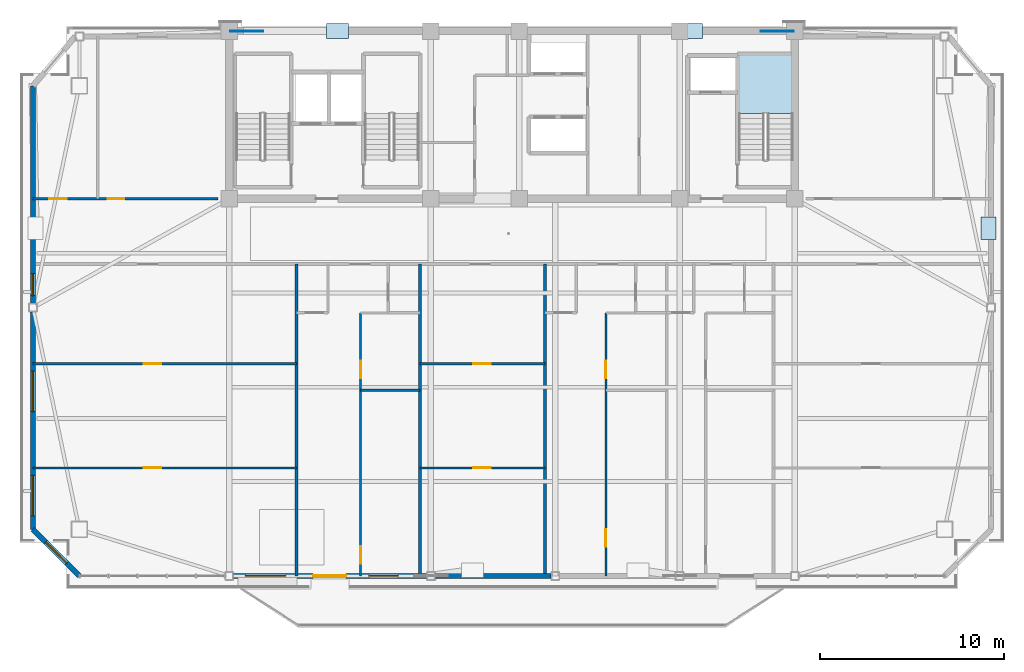
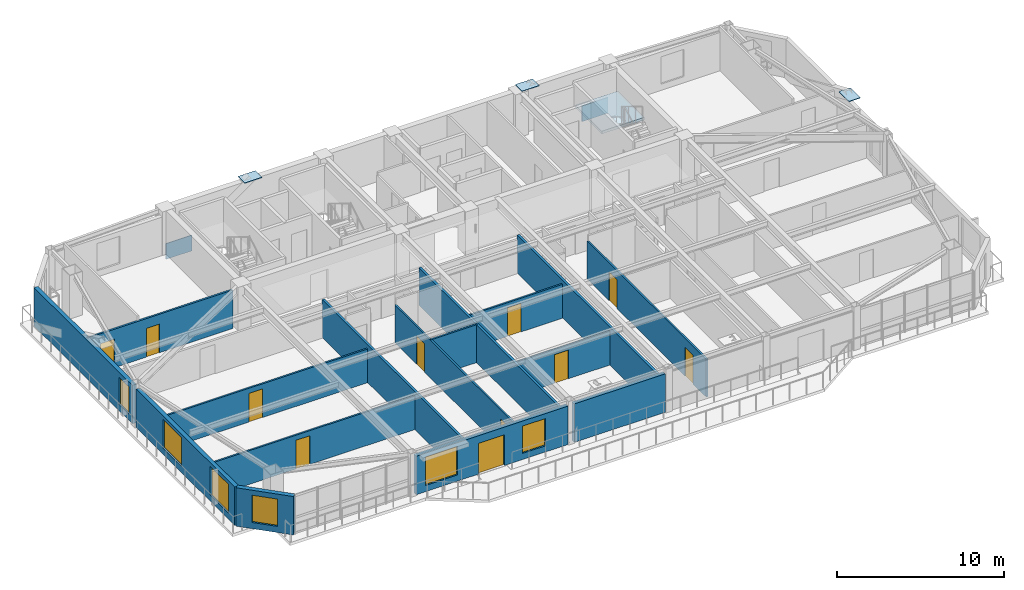
# One storey, part 8 of 17: 16 walls, 11 doors, 6 windows, 5 plates, 1 slab, 17 openings, 1 element without a shape of its own.
"""IFC4 building model written with IfcOpenShell, lengths in metres."""

from ifc_helpers import new_model, si_unit, direction, frame, frame_2d, origin, origin_2d, place, context, subcontext, project, spatial, polyline, rectangle, outline, extrude, source, transform, mapped, material, layer, layer_set, type_object, element, fill, aggregate, save


model = new_model("IFC4")

# Units and contexts
model_context = context("Model", 3, precision=1e-05, world=origin(), true_north=direction((0.0, 1.0)))
body_context = subcontext(model_context, "Body", "Model", "MODEL_VIEW")
ifc_project = project(units=[si_unit("LENGTHUNIT", "METRE"), si_unit("AREAUNIT", "SQUARE_METRE"), si_unit("VOLUMEUNIT", "CUBIC_METRE"), si_unit("PLANEANGLEUNIT", "RADIAN"), si_unit("MASSUNIT", "GRAM", prefix="KILO")], contexts=[model_context])

# Site, building, storey
site_placement = place(None, origin())
site = spatial("IfcSite", under=ifc_project, at=site_placement, CompositionType="ELEMENT")
building_placement = place(site_placement, origin())
building = spatial("IfcBuilding", under=site, at=building_placement, Name="Giltprow Tower", CompositionType="ELEMENT")
storey_placement = place(building_placement, frame((0.0, 0.0, 268.89990234375)))
storey = spatial("IfcBuildingStorey", under=building, at=storey_placement, Name="L69", CompositionType="ELEMENT", Elevation=268.89990234375)

# Stair, slab
ifc_material_1 = material(Name="Concrete C40", Category="concrete")
stair_type = type_object("IfcStairType", Name="STR-ST-3", PredefinedType="HALF_TURN_STAIR", material=ifc_material_1)
stair_placement = place(storey_placement, origin())
stair = element("IfcStair", 1, at=stair_placement, inside=storey, type_object=stair_type, Name="L69 Core Exit Stair ST-3", PredefinedType="HALF_TURN_STAIR")
ifc_layer_1 = layer(ifc_material_1, 0.196044921875, Name="Concrete C40")
ifc_layer_set_1 = layer_set([ifc_layer_1], Name="Concrete C40")
slab_type = type_object("IfcSlabType", Name="SLD-ST-3", PredefinedType="LANDING", material=ifc_layer_set_1)
slab_placement = place(storey_placement, frame((0.0, 0.0, 1.504150390625)))
slab = element("IfcSlab", 2, at=slab_placement, type_object=slab_type, Name="ST-3 landing 1", PredefinedType="LANDING", context=body_context, shape_type="SweptSolid", body=[
    extrude(outline(polyline([(50.4599609375, 42.070068359375), (50.4599609375, 45.25), (47.5, 45.25), (47.5, 42.070068359375), (50.4599609375, 42.070068359375)])), origin(), (0.0, 0.0, 1.0), 0.196044921875),
])
aggregate(stair, [slab])

# Plates
ifc_material_2 = material(Name="Structural steel Q420GJC", Category="steel")
plate_type_1 = type_object("IfcPlateType", Name="PLT-NODE-MBN1", PredefinedType="USERDEFINED", material=ifc_material_2)
shared_shape_1 = source(origin(), body_context, "Body", "SweptSolid", [
    extrude(rectangle(XDim=1.800048828125, YDim=0.050048828125, at=origin_2d()), origin(), (0.0, 0.0, 1.0), 1.14990234375),
])
for number, where, z_axis, x_axis, name in (
    (3, (20.800048828125, 46.550048828125, -0.71484375), (0.0, 0.0, 1.0), (1.0, 0.0, 0.0), "Mega-Brace Node L69-N-LA"),
    (4, (49.60009765625, 46.550048828125, -0.71484375), (0.0, 0.0, 1.0), (1.0, 0.0, 0.0), "Mega-Brace Node L69-N-RA"),
):
    element("IfcPlate", number, at=place(storey_placement, frame(where, z_axis=z_axis, x_axis=x_axis)), inside=storey, type_object=plate_type_1, Name=name, ObjectType="GUSSET", PredefinedType="USERDEFINED", context=body_context, shape_type="MappedRepresentation", body=[
        mapped(shared_shape_1, transform((0.0, 0.0, 0.0), x_axis=(1.0, 0.0, 0.0), y_axis=(0.0, 1.0, 0.0), z_axis=(0.0, 0.0, 1.0), scale=1.0)),
    ])
plate_type_2 = type_object("IfcPlateType", Name="PLT-CAP-SEAL", PredefinedType="USERDEFINED", material=ifc_material_2)
shared_shape_2 = source(origin(), body_context, "Body", "SweptSolid", [
    extrude(rectangle(XDim=1.199951171875, YDim=0.800048828125, at=origin_2d()), origin(), (0.0, 0.0, 1.0), 0.034912109375),
])
for number, where, z_axis, x_axis, name in (
    (5, (25.73291015625, 46.550048828125, 3.24267578125), (0.0, 0.0, 1.0), (1.0, 0.0, 0.0), "Mega-Brace Node L69-N-LB"),
    (6, (44.93310546875, 46.550048828125, 3.24267578125), (0.0, 0.0, 1.0), (1.0, 0.0, 0.0), "Mega-Brace Node L69-N-RB"),
    (7, (61.068115234375, 35.845947265625, 3.3828125), (0.0, 0.0, 1.0), (0.0, 1.0, 0.0), "Mega-Brace Node L69-E-DB"),
):
    element("IfcPlate", number, at=place(storey_placement, frame(where, z_axis=z_axis, x_axis=x_axis)), inside=storey, type_object=plate_type_2, Name=name, ObjectType="SPLICE", PredefinedType="USERDEFINED", context=body_context, shape_type="MappedRepresentation", body=[
        mapped(shared_shape_2, transform((0.0, 0.0, 0.0), x_axis=(1.0, 0.0, 0.0), y_axis=(0.0, 1.0, 0.0), z_axis=(0.0, 0.0, 1.0), scale=1.0)),
    ])

# Wall, opening, window
ifc_material_3 = material(Name="Precast concrete C40", Category="concrete")
ifc_layer_2 = layer(ifc_material_3, 0.300048828125, Name="Precast concrete C40")
ifc_layer_set_2 = layer_set([ifc_layer_2], Name="Precast concrete C40")
wall_type_1 = type_object("IfcWallType", Name="EW-NOTCH-CHAMFER-300", PredefinedType="SOLIDWALL", material=ifc_layer_set_2)
wall_1_placement = place(storey_placement, frame((9.194091796875, 19.4990234375, 0.0), z_axis=(0.0, 0.0, 1.0), x_axis=(0.707106781187, -0.707106781187, 0.0)))
wall_1 = element("IfcWall", 8, at=wall_1_placement, inside=storey, type_object=wall_type_1, Name="L69 Corner Notch Wall SW", PredefinedType="SOLIDWALL", context=body_context, shape_type="SweptSolid", body=[
    extrude(rectangle(XDim=3.56787109375, YDim=0.300048828125, at=frame_2d((1.783935546875, 0.0))), origin(), (0.0, 0.0, 1.0), 2.815185546875),
])
opening_1_placement = place(wall_1_placement, frame((0.98388671875, 0.0, 0.449951171875)))
opening_1 = element("IfcOpeningElement", 9, at=opening_1_placement, cuts=wall_1, Name="Opening WN17", PredefinedType="OPENING", context=body_context, shape_type="SweptSolid", body=[
    extrude(rectangle(XDim=1.60009765625, YDim=2.0, at=frame_2d((0.800048828125, 1.0))), frame((0.0, 0.159912109375, 0.0), z_axis=(0.0, -1.0, 0.0), x_axis=(1.0, 0.0, 0.0)), (0.0, 0.0, 1.0), 0.320068359375),
])
ifc_material_4 = material(Name="Insulated glass", Category="glass")
window_type_1 = type_object("IfcWindowType", Name="WN-COR-1600x2000", PartitioningType="SINGLE_PANEL", PredefinedType="WINDOW", material=ifc_material_4)
shared_shape_3 = source(origin(), body_context, "Body", "SweptSolid", [
    extrude(rectangle(XDim=1.60009765625, YDim=2.0, at=frame_2d((0.800048828125, 1.0))), frame((0.0, 0.030029296875, 0.0), z_axis=(0.0, -1.0, 0.0), x_axis=(1.0, 0.0, 0.0)), (0.0, 0.0, 1.0), 0.06005859375),
])
window_1_placement = place(opening_1_placement, origin())
window_1 = element("IfcWindow", 10, at=window_1_placement, inside=storey, type_object=window_type_1, Name="L69 Corner Notch Window SW", OverallHeight=2.0, OverallWidth=1.60009765625, PartitioningType="SINGLE_PANEL", PredefinedType="WINDOW", context=body_context, shape_type="MappedRepresentation", body=[
    mapped(shared_shape_3, transform((0.0, 0.0, 0.0), x_axis=(1.0, 0.0, 0.0), y_axis=(0.0, 1.0, 0.0), z_axis=(0.0, 0.0, 1.0), scale=1.0)),
])
fill(opening_1, window_1)

# Wall, openings, windows, door
ifc_layer_3 = layer(ifc_material_3, 0.280029296875, Name="Precast concrete C40")
ifc_layer_set_3 = layer_set([ifc_layer_3], Name="Precast concrete C40")
wall_type_2 = type_object("IfcWallType", Name="EW-TOW-BRONZE-280", PredefinedType="SOLIDWALL", material=ifc_layer_set_3)
wall_2_placement = place(storey_placement, frame((20.074951171875, 16.97607421875, 0.0), z_axis=(0.0, 0.0, 1.0), x_axis=(1.0, 0.0, 0.0)))
wall_2 = element("IfcWall", 11, at=wall_2_placement, inside=storey, type_object=wall_type_2, Name="L69 South Expressed Frame Wall 2", PredefinedType="SOLIDWALL", context=body_context, shape_type="SweptSolid", body=[
    extrude(rectangle(XDim=10.5, YDim=0.280029296875, at=frame_2d((5.25, 0.0))), origin(), (0.0, 0.0, 1.0), 2.815185546875),
])
opening_2_placement = place(wall_2_placement, frame((4.324951171875, 0.0, 0.0)))
opening_2 = element("IfcOpeningElement", 12, at=opening_2_placement, cuts=wall_2, Name="Opening ED25", PredefinedType="OPENING", context=body_context, shape_type="SweptSolid", body=[
    extrude(rectangle(XDim=1.800048828125, YDim=2.25, at=frame_2d((0.89990234375, 1.125))), frame((0.0, 0.14990234375, 0.0), z_axis=(0.0, -1.0, 0.0), x_axis=(1.0, 0.0, 0.0)), (0.0, 0.0, 1.0), 0.300048828125),
])
opening_3_placement = place(wall_2_placement, frame((0.64990234375, 0.0, 0.449951171875)))
opening_3 = element("IfcOpeningElement", 13, at=opening_3_placement, cuts=wall_2, Name="Opening WN27", PredefinedType="OPENING", context=body_context, shape_type="SweptSolid", body=[
    extrude(rectangle(XDim=2.199951171875, YDim=2.10009765625, at=frame_2d((1.10009765625, 1.050048828125))), frame((0.0, 0.14990234375, 0.0), z_axis=(0.0, -1.0, 0.0), x_axis=(1.0, 0.0, 0.0)), (0.0, 0.0, 1.0), 0.300048828125),
])
opening_4_placement = place(wall_2_placement, frame((7.35009765625, 0.0, 0.449951171875)))
opening_4 = element("IfcOpeningElement", 14, at=opening_4_placement, cuts=wall_2, Name="Opening WN17", PredefinedType="OPENING", context=body_context, shape_type="SweptSolid", body=[
    extrude(rectangle(XDim=1.60009765625, YDim=2.0, at=frame_2d((0.800048828125, 1.0))), frame((0.0, 0.14990234375, 0.0), z_axis=(0.0, -1.0, 0.0), x_axis=(1.0, 0.0, 0.0)), (0.0, 0.0, 1.0), 0.300048828125),
])
window_2_placement = place(opening_4_placement, origin())
window_2 = element("IfcWindow", 15, at=window_2_placement, inside=storey, type_object=window_type_1, Name="L69 South Window 2B", OverallHeight=2.0, OverallWidth=1.60009765625, PartitioningType="SINGLE_PANEL", PredefinedType="WINDOW", context=body_context, shape_type="MappedRepresentation", body=[
    mapped(shared_shape_3, transform((0.0, 0.0, 0.0), x_axis=(1.0, 0.0, 0.0), y_axis=(0.0, 1.0, 0.0), z_axis=(0.0, 0.0, 1.0), scale=1.0)),
])
fill(opening_4, window_2)
ifc_material_5 = material(Name="Anodized bronze and glass", Category="glass")
door_type_1 = type_object("IfcDoorType", Name="DR-BALC-SLIDE-1800", OperationType="SLIDING_TO_LEFT", PredefinedType="DOOR", material=ifc_material_5)
shared_shape_4 = source(origin(), body_context, "Body", "SweptSolid", [
    extrude(rectangle(XDim=1.800048828125, YDim=2.25, at=frame_2d((0.89990234375, 1.125))), frame((0.0, 0.02490234375, 0.0), z_axis=(0.0, -1.0, 0.0), x_axis=(1.0, 0.0, 0.0)), (0.0, 0.0, 1.0), 0.050048828125),
])
door_1_placement = place(opening_2_placement, origin())
door_1 = element("IfcDoor", 16, at=door_1_placement, inside=storey, type_object=door_type_1, Name="L69 Waterfront Balcony Sliding Door 1", OperationType="SLIDING_TO_LEFT", OverallHeight=2.25, OverallWidth=1.800048828125, PredefinedType="DOOR", context=body_context, shape_type="MappedRepresentation", body=[
    mapped(shared_shape_4, transform((0.0, 0.0, 0.0), x_axis=(1.0, 0.0, 0.0), y_axis=(0.0, 1.0, 0.0), z_axis=(0.0, 0.0, 1.0), scale=1.0)),
])
fill(opening_2, door_1)
window_type_2 = type_object("IfcWindowType", Name="WN-RES-2200x2100", PartitioningType="TRIPLE_PANEL_VERTICAL", PredefinedType="WINDOW", material=ifc_material_4)
shared_shape_5 = source(origin(), body_context, "Body", "SweptSolid", [
    extrude(rectangle(XDim=2.199951171875, YDim=2.10009765625, at=frame_2d((1.10009765625, 1.050048828125))), frame((0.0, 0.030029296875, 0.0), z_axis=(0.0, -1.0, 0.0), x_axis=(1.0, 0.0, 0.0)), (0.0, 0.0, 1.0), 0.06005859375),
])
window_3_placement = place(opening_3_placement, origin())
window_3 = element("IfcWindow", 17, at=window_3_placement, inside=storey, type_object=window_type_2, Name="L69 South Window 2A", OverallHeight=2.10009765625, OverallWidth=2.199951171875, PartitioningType="SINGLE_PANEL", PredefinedType="WINDOW", context=body_context, shape_type="MappedRepresentation", body=[
    mapped(shared_shape_5, transform((0.0, 0.0, 0.0), x_axis=(1.0, 0.0, 0.0), y_axis=(0.0, 1.0, 0.0), z_axis=(0.0, 0.0, 1.0), scale=1.0)),
])
fill(opening_3, window_3)

# Wall
wall_3_placement = place(storey_placement, frame((31.02490234375, 16.97607421875, 0.0), z_axis=(0.0, 0.0, 1.0), x_axis=(1.0, 0.0, 0.0)))
element("IfcWall", 18, at=wall_3_placement, inside=storey, type_object=wall_type_2, Name="L69 South Expressed Frame Wall 3", PredefinedType="SOLIDWALL", context=body_context, shape_type="SweptSolid", body=[
    extrude(rectangle(XDim=6.300048828125, YDim=0.280029296875, at=frame_2d((3.14990234375, 0.0))), origin(), (0.0, 0.0, 1.0), 2.815185546875),
])

# Wall, openings, windows
wall_4_placement = place(storey_placement, frame((9.194091796875, 19.4990234375, 0.0), z_axis=(0.0, 0.0, 1.0), x_axis=(0.0, 1.0, 0.0)))
wall_4 = element("IfcWall", 19, at=wall_4_placement, inside=storey, type_object=wall_type_2, Name="L69 W Wing Masonry Wall 1", PredefinedType="SOLIDWALL", context=body_context, shape_type="SweptSolid", body=[
    extrude(rectangle(XDim=11.81396484375, YDim=0.280029296875, at=frame_2d((5.906982421875, 0.0))), origin(), (0.0, 0.0, 1.0), 2.815185546875),
])
opening_5_placement = place(wall_4_placement, frame((0.736083984375, 0.0, 0.449951171875)))
opening_5 = element("IfcOpeningElement", 20, at=opening_5_placement, cuts=wall_4, Name="Opening WN27", PredefinedType="OPENING", context=body_context, shape_type="SweptSolid", body=[
    extrude(rectangle(XDim=2.199951171875, YDim=2.10009765625, at=frame_2d((1.10009765625, 1.050048828125))), frame((0.0, 0.14990234375, 0.0), z_axis=(0.0, -1.0, 0.0), x_axis=(1.0, 0.0, 0.0)), (0.0, 0.0, 1.0), 0.300048828125),
])
opening_6_placement = place(wall_4_placement, frame((6.39501953125, 0.0, 0.449951171875)))
opening_6 = element("IfcOpeningElement", 21, at=opening_6_placement, cuts=wall_4, Name="Opening WN27", PredefinedType="OPENING", context=body_context, shape_type="SweptSolid", body=[
    extrude(rectangle(XDim=2.199951171875, YDim=2.10009765625, at=frame_2d((1.10009765625, 1.050048828125))), frame((0.0, 0.14990234375, 0.0), z_axis=(0.0, -1.0, 0.0), x_axis=(1.0, 0.0, 0.0)), (0.0, 0.0, 1.0), 0.300048828125),
])
window_4_placement = place(opening_5_placement, origin())
window_4 = element("IfcWindow", 22, at=window_4_placement, inside=storey, type_object=window_type_2, Name="L69 W Wing Window 1-1A", OverallHeight=2.10009765625, OverallWidth=2.199951171875, PartitioningType="SINGLE_PANEL", PredefinedType="WINDOW", context=body_context, shape_type="MappedRepresentation", body=[
    mapped(shared_shape_5, transform((0.0, 0.0, 0.0), x_axis=(1.0, 0.0, 0.0), y_axis=(0.0, 1.0, 0.0), z_axis=(0.0, 0.0, 1.0), scale=1.0)),
])
fill(opening_5, window_4)
window_5_placement = place(opening_6_placement, origin())
window_5 = element("IfcWindow", 23, at=window_5_placement, inside=storey, type_object=window_type_2, Name="L69 W Wing Window 1-1B", OverallHeight=2.10009765625, OverallWidth=2.199951171875, PartitioningType="SINGLE_PANEL", PredefinedType="WINDOW", context=body_context, shape_type="MappedRepresentation", body=[
    mapped(shared_shape_5, transform((0.0, 0.0, 0.0), x_axis=(1.0, 0.0, 0.0), y_axis=(0.0, 1.0, 0.0), z_axis=(0.0, 0.0, 1.0), scale=1.0)),
])
fill(opening_6, window_5)

# Wall, opening, window
wall_5_placement = place(storey_placement, frame((9.194091796875, 31.762939453125, 0.0), z_axis=(0.0, 0.0, 1.0), x_axis=(0.0, 1.0, 0.0)))
wall_5 = element("IfcWall", 24, at=wall_5_placement, inside=storey, type_object=wall_type_2, Name="L69 W Wing Masonry Wall 2", PredefinedType="SOLIDWALL", context=body_context, shape_type="SweptSolid", body=[
    extrude(rectangle(XDim=11.81396484375, YDim=0.280029296875, at=frame_2d((5.906982421875, 0.0))), origin(), (0.0, 0.0, 1.0), 2.815185546875),
])
opening_7_placement = place(wall_5_placement, frame((0.426025390625, 0.0, 0.449951171875)))
opening_7 = element("IfcOpeningElement", 25, at=opening_7_placement, cuts=wall_5, Name="Opening WN11", PredefinedType="OPENING", context=body_context, shape_type="SweptSolid", body=[
    extrude(rectangle(XDim=1.199951171875, YDim=2.0, at=frame_2d((0.60009765625, 1.0))), frame((0.0, 0.14990234375, 0.0), z_axis=(0.0, -1.0, 0.0), x_axis=(1.0, 0.0, 0.0)), (0.0, 0.0, 1.0), 0.300048828125),
])
window_type_3 = type_object("IfcWindowType", Name="WN-LANCET-1200x2000", PartitioningType="SINGLE_PANEL", PredefinedType="WINDOW", material=ifc_material_4)
shared_shape_6 = source(origin(), body_context, "Body", "SweptSolid", [
    extrude(rectangle(XDim=1.199951171875, YDim=2.0, at=frame_2d((0.60009765625, 1.0))), frame((0.0, 0.030029296875, 0.0), z_axis=(0.0, -1.0, 0.0), x_axis=(1.0, 0.0, 0.0)), (0.0, 0.0, 1.0), 0.06005859375),
])
window_6_placement = place(opening_7_placement, origin())
window_6 = element("IfcWindow", 26, at=window_6_placement, inside=storey, type_object=window_type_3, Name="L69 W Wing Window 2-1", OverallHeight=2.0, OverallWidth=1.199951171875, PartitioningType="SINGLE_PANEL", PredefinedType="WINDOW", context=body_context, shape_type="MappedRepresentation", body=[
    mapped(shared_shape_6, transform((0.0, 0.0, 0.0), x_axis=(1.0, 0.0, 0.0), y_axis=(0.0, 1.0, 0.0), z_axis=(0.0, 0.0, 1.0), scale=1.0)),
])
fill(opening_7, window_6)

# Walls
ifc_material_6 = material(Name="Gypsum stud partition", Category="gypsum")
ifc_layer_4 = layer(ifc_material_6, 0.159912109375, Name="Gypsum stud partition")
ifc_layer_set_4 = layer_set([ifc_layer_4], Name="Gypsum stud partition")
wall_type_3 = type_object("IfcWallType", Name="IW-DEMISE-160", PredefinedType="PARTITIONING", material=ifc_layer_set_4)
for number, where, z_axis, x_axis, name in (
    (27, (23.5, 16.97607421875, 0.0), (0.0, 0.0, 1.0), (0.0, 1.0, 0.0), "L69 Apartment Party Wall 1"),
    (28, (30.199951171875, 16.97607421875, 0.0), (0.0, 0.0, 1.0), (0.0, 1.0, 0.0), "L69 Apartment Party Wall 2"),
    (29, (37.0, 16.97607421875, 0.0), (0.0, 0.0, 1.0), (0.0, 1.0, 0.0), "L69 Apartment Party Wall 3"),
):
    element("IfcWall", number, at=place(storey_placement, frame(where, z_axis=z_axis, x_axis=x_axis)), inside=storey, type_object=wall_type_3, Name=name, PredefinedType="PARTITIONING", context=body_context, shape_type="SweptSolid", body=[
        extrude(rectangle(XDim=16.923828125, YDim=0.159912109375, at=frame_2d((8.4619140625, 0.0))), origin(), (0.0, 0.0, 1.0), 2.77001953125),
    ])

# Wall, opening, door
ifc_layer_5 = layer(ifc_material_6, 0.1201171875, Name="Gypsum stud partition")
ifc_layer_set_5 = layer_set([ifc_layer_5], Name="Gypsum stud partition")
wall_type_4 = type_object("IfcWallType", Name="IW-ROOM-120", PredefinedType="PARTITIONING", material=ifc_layer_set_5)
wall_6_placement = place(storey_placement, frame((9.194091796875, 22.8349609375, 0.0), z_axis=(0.0, 0.0, 1.0), x_axis=(1.0, 0.0, 0.0)))
wall_6 = element("IfcWall", 30, at=wall_6_placement, inside=storey, type_object=wall_type_4, Name="L69 Special Split 1", PredefinedType="PARTITIONING", context=body_context, shape_type="SweptSolid", body=[
    extrude(rectangle(XDim=14.305908203125, YDim=0.1201171875, at=frame_2d((7.15283203125, 0.0))), origin(), (0.0, 0.0, 1.0), 2.47021484375),
])
opening_8_placement = place(wall_6_placement, frame((6.008056640625, 0.0, 0.0)))
opening_8 = element("IfcOpeningElement", 31, at=opening_8_placement, cuts=wall_6, Name="Opening ID11", PredefinedType="OPENING", context=body_context, shape_type="SweptSolid", body=[
    extrude(rectangle(XDim=0.949951171875, YDim=2.10009765625, at=frame_2d((0.47509765625, 1.050048828125))), frame((0.0, 0.070068359375, 0.0), z_axis=(0.0, -1.0, 0.0), x_axis=(1.0, 0.0, 0.0)), (0.0, 0.0, 1.0), 0.14013671875),
])
ifc_material_7 = material(Name="Engineered timber", Category="wood")
door_type_2 = type_object("IfcDoorType", Name="DR-ROOM-950", OperationType="SINGLE_SWING_RIGHT", PredefinedType="DOOR", material=ifc_material_7)
shared_shape_7 = source(origin(), body_context, "Body", "SweptSolid", [
    extrude(rectangle(XDim=0.949951171875, YDim=2.10009765625, at=frame_2d((0.47509765625, 1.050048828125))), frame((0.0, 0.02490234375, 0.0), z_axis=(0.0, -1.0, 0.0), x_axis=(1.0, 0.0, 0.0)), (0.0, 0.0, 1.0), 0.050048828125),
])
door_2_placement = place(opening_8_placement, origin())
door_2 = element("IfcDoor", 32, at=door_2_placement, inside=storey, type_object=door_type_2, Name="L69 Residents Board Meeting Room 1 South Door", OperationType="SINGLE_SWING_LEFT", OverallHeight=2.10009765625, OverallWidth=0.949951171875, PredefinedType="DOOR", context=body_context, shape_type="MappedRepresentation", body=[
    mapped(shared_shape_7, transform((0.0, 0.0, 0.0), x_axis=(1.0, 0.0, 0.0), y_axis=(0.0, 1.0, 0.0), z_axis=(0.0, 0.0, 1.0), scale=1.0)),
])
fill(opening_8, door_2)

wall_7_placement = place(storey_placement, frame((9.194091796875, 28.493896484375, 0.0), z_axis=(0.0, 0.0, 1.0), x_axis=(1.0, 0.0, 0.0)))
wall_7 = element("IfcWall", 33, at=wall_7_placement, inside=storey, type_object=wall_type_4, Name="L69 Special Split 2", PredefinedType="PARTITIONING", context=body_context, shape_type="SweptSolid", body=[
    extrude(rectangle(XDim=14.305908203125, YDim=0.1201171875, at=frame_2d((7.15283203125, 0.0))), origin(), (0.0, 0.0, 1.0), 2.47021484375),
])
opening_9_placement = place(wall_7_placement, frame((6.008056640625, 0.0, 0.0)))
opening_9 = element("IfcOpeningElement", 34, at=opening_9_placement, cuts=wall_7, Name="Opening ID11", PredefinedType="OPENING", context=body_context, shape_type="SweptSolid", body=[
    extrude(rectangle(XDim=0.949951171875, YDim=2.10009765625, at=frame_2d((0.47509765625, 1.050048828125))), frame((0.0, 0.070068359375, 0.0), z_axis=(0.0, -1.0, 0.0), x_axis=(1.0, 0.0, 0.0)), (0.0, 0.0, 1.0), 0.14013671875),
])
door_3_placement = place(opening_9_placement, origin())
door_3 = element("IfcDoor", 35, at=door_3_placement, inside=storey, type_object=door_type_2, Name="L69 Residents Board Meeting Room 1 Mid Door", OperationType="SINGLE_SWING_RIGHT", OverallHeight=2.10009765625, OverallWidth=0.949951171875, PredefinedType="DOOR", context=body_context, shape_type="MappedRepresentation", body=[
    mapped(shared_shape_7, transform((0.0, 0.0, 0.0), x_axis=(1.0, 0.0, 0.0), y_axis=(0.0, 1.0, 0.0), z_axis=(0.0, 0.0, 1.0), scale=1.0)),
])
fill(opening_9, door_3)

# Wall, openings, doors
wall_8_placement = place(storey_placement, frame((26.97998046875, 16.97607421875, 0.0), z_axis=(0.0, 0.0, 1.0), x_axis=(0.0, 1.0, 0.0)))
wall_8 = element("IfcWall", 36, at=wall_8_placement, inside=storey, type_object=wall_type_4, Name="L69 Unit 1 Bedroom Wall", PredefinedType="PARTITIONING", context=body_context, shape_type="SweptSolid", body=[
    extrude(rectangle(XDim=14.27392578125, YDim=0.1201171875, at=frame_2d((7.136962890625, 0.0))), origin(), (0.0, 0.0, 1.0), 2.77001953125),
])
opening_10_placement = place(wall_8_placement, frame((0.669921875, 0.0, 0.0)))
opening_10 = element("IfcOpeningElement", 37, at=opening_10_placement, cuts=wall_8, Name="Opening ID11", PredefinedType="OPENING", context=body_context, shape_type="SweptSolid", body=[
    extrude(rectangle(XDim=0.949951171875, YDim=2.10009765625, at=frame_2d((0.47509765625, 1.050048828125))), frame((0.0, 0.070068359375, 0.0), z_axis=(0.0, -1.0, 0.0), x_axis=(1.0, 0.0, 0.0)), (0.0, 0.0, 1.0), 0.14013671875),
])
opening_11_placement = place(wall_8_placement, frame((10.714111328125, 0.0, 0.0)))
opening_11 = element("IfcOpeningElement", 38, at=opening_11_placement, cuts=wall_8, Name="Opening ID11", PredefinedType="OPENING", context=body_context, shape_type="SweptSolid", body=[
    extrude(rectangle(XDim=0.949951171875, YDim=2.10009765625, at=frame_2d((0.47509765625, 1.050048828125))), frame((0.0, 0.070068359375, 0.0), z_axis=(0.0, -1.0, 0.0), x_axis=(1.0, 0.0, 0.0)), (0.0, 0.0, 1.0), 0.14013671875),
])
door_4_placement = place(opening_10_placement, origin())
door_4 = element("IfcDoor", 39, at=door_4_placement, inside=storey, type_object=door_type_2, Name="L69 Unit 1 Primary Bedroom Door", OperationType="SINGLE_SWING_LEFT", OverallHeight=2.10009765625, OverallWidth=0.949951171875, PredefinedType="DOOR", context=body_context, shape_type="MappedRepresentation", body=[
    mapped(shared_shape_7, transform((0.0, 0.0, 0.0), x_axis=(1.0, 0.0, 0.0), y_axis=(0.0, 1.0, 0.0), z_axis=(0.0, 0.0, 1.0), scale=1.0)),
])
fill(opening_10, door_4)
door_5_placement = place(opening_11_placement, origin())
door_5 = element("IfcDoor", 40, at=door_5_placement, inside=storey, type_object=door_type_2, Name="L69 Unit 1 Second Bedroom Door", OperationType="SINGLE_SWING_RIGHT", OverallHeight=2.10009765625, OverallWidth=0.949951171875, PredefinedType="DOOR", context=body_context, shape_type="MappedRepresentation", body=[
    mapped(shared_shape_7, transform((0.0, 0.0, 0.0), x_axis=(1.0, 0.0, 0.0), y_axis=(0.0, 1.0, 0.0), z_axis=(0.0, 0.0, 1.0), scale=1.0)),
])
fill(opening_11, door_5)

# Wall
wall_9_placement = place(storey_placement, frame((26.97998046875, 27.050048828125, 0.0), z_axis=(0.0, 0.0, 1.0), x_axis=(1.0, 0.0, 0.0)))
element("IfcWall", 41, at=wall_9_placement, inside=storey, type_object=wall_type_4, Name="L69 Unit 1 Second Bedroom Wall", PredefinedType="PARTITIONING", context=body_context, shape_type="SweptSolid", body=[
    extrude(rectangle(XDim=3.219970703125, YDim=0.1201171875, at=frame_2d((1.60986328125, 0.0))), origin(), (0.0, 0.0, 1.0), 2.77001953125),
])

# Wall, opening, door
wall_10_placement = place(storey_placement, frame((30.199951171875, 22.8349609375, 0.0), z_axis=(0.0, 0.0, 1.0), x_axis=(1.0, 0.0, 0.0)))
wall_10 = element("IfcWall", 42, at=wall_10_placement, inside=storey, type_object=wall_type_4, Name="L69 Special Split 1", PredefinedType="PARTITIONING", context=body_context, shape_type="SweptSolid", body=[
    extrude(rectangle(XDim=6.800048828125, YDim=0.1201171875, at=frame_2d((3.39990234375, 0.0))), origin(), (0.0, 0.0, 1.0), 2.47021484375),
])
opening_12_placement = place(wall_10_placement, frame((2.885986328125, 0.0, 0.0)))
opening_12 = element("IfcOpeningElement", 43, at=opening_12_placement, cuts=wall_10, Name="Opening ID11", PredefinedType="OPENING", context=body_context, shape_type="SweptSolid", body=[
    extrude(rectangle(XDim=0.949951171875, YDim=2.10009765625, at=frame_2d((0.47509765625, 1.050048828125))), frame((0.0, 0.070068359375, 0.0), z_axis=(0.0, -1.0, 0.0), x_axis=(1.0, 0.0, 0.0)), (0.0, 0.0, 1.0), 0.14013671875),
])
door_6_placement = place(opening_12_placement, origin())
door_6 = element("IfcDoor", 44, at=door_6_placement, inside=storey, type_object=door_type_2, Name="L69 Briefing Meeting Room 2 South Door", OperationType="SINGLE_SWING_LEFT", OverallHeight=2.10009765625, OverallWidth=0.949951171875, PredefinedType="DOOR", context=body_context, shape_type="MappedRepresentation", body=[
    mapped(shared_shape_7, transform((0.0, 0.0, 0.0), x_axis=(1.0, 0.0, 0.0), y_axis=(0.0, 1.0, 0.0), z_axis=(0.0, 0.0, 1.0), scale=1.0)),
])
fill(opening_12, door_6)

wall_11_placement = place(storey_placement, frame((30.199951171875, 28.493896484375, 0.0), z_axis=(0.0, 0.0, 1.0), x_axis=(1.0, 0.0, 0.0)))
wall_11 = element("IfcWall", 45, at=wall_11_placement, inside=storey, type_object=wall_type_4, Name="L69 Special Split 2", PredefinedType="PARTITIONING", context=body_context, shape_type="SweptSolid", body=[
    extrude(rectangle(XDim=6.800048828125, YDim=0.1201171875, at=frame_2d((3.39990234375, 0.0))), origin(), (0.0, 0.0, 1.0), 2.47021484375),
])
opening_13_placement = place(wall_11_placement, frame((2.885986328125, 0.0, 0.0)))
opening_13 = element("IfcOpeningElement", 46, at=opening_13_placement, cuts=wall_11, Name="Opening ID11", PredefinedType="OPENING", context=body_context, shape_type="SweptSolid", body=[
    extrude(rectangle(XDim=0.949951171875, YDim=2.10009765625, at=frame_2d((0.47509765625, 1.050048828125))), frame((0.0, 0.070068359375, 0.0), z_axis=(0.0, -1.0, 0.0), x_axis=(1.0, 0.0, 0.0)), (0.0, 0.0, 1.0), 0.14013671875),
])
door_7_placement = place(opening_13_placement, origin())
door_7 = element("IfcDoor", 47, at=door_7_placement, inside=storey, type_object=door_type_2, Name="L69 Briefing Meeting Room 2 Mid Door", OperationType="SINGLE_SWING_RIGHT", OverallHeight=2.10009765625, OverallWidth=0.949951171875, PredefinedType="DOOR", context=body_context, shape_type="MappedRepresentation", body=[
    mapped(shared_shape_7, transform((0.0, 0.0, 0.0), x_axis=(1.0, 0.0, 0.0), y_axis=(0.0, 1.0, 0.0), z_axis=(0.0, 0.0, 1.0), scale=1.0)),
])
fill(opening_13, door_7)

# Wall, openings, doors
wall_12_placement = place(storey_placement, frame((40.300048828125, 16.97607421875, 0.0), z_axis=(0.0, 0.0, 1.0), x_axis=(0.0, 1.0, 0.0)))
wall_12 = element("IfcWall", 48, at=wall_12_placement, inside=storey, type_object=wall_type_4, Name="L69 Unit 2 Bedroom Wall", PredefinedType="PARTITIONING", context=body_context, shape_type="SweptSolid", body=[
    extrude(rectangle(XDim=14.27392578125, YDim=0.1201171875, at=frame_2d((7.136962890625, 0.0))), origin(), (0.0, 0.0, 1.0), 2.77001953125),
])
opening_14_placement = place(wall_12_placement, frame((1.590087890625, 0.0, 0.0)))
opening_14 = element("IfcOpeningElement", 49, at=opening_14_placement, cuts=wall_12, Name="Opening ID11", PredefinedType="OPENING", context=body_context, shape_type="SweptSolid", body=[
    extrude(rectangle(XDim=0.949951171875, YDim=2.10009765625, at=frame_2d((0.47509765625, 1.050048828125))), frame((0.0, 0.070068359375, 0.0), z_axis=(0.0, -1.0, 0.0), x_axis=(1.0, 0.0, 0.0)), (0.0, 0.0, 1.0), 0.14013671875),
])
opening_15_placement = place(wall_12_placement, frame((10.714111328125, 0.0, 0.0)))
opening_15 = element("IfcOpeningElement", 50, at=opening_15_placement, cuts=wall_12, Name="Opening ID11", PredefinedType="OPENING", context=body_context, shape_type="SweptSolid", body=[
    extrude(rectangle(XDim=0.949951171875, YDim=2.10009765625, at=frame_2d((0.47509765625, 1.050048828125))), frame((0.0, 0.070068359375, 0.0), z_axis=(0.0, -1.0, 0.0), x_axis=(1.0, 0.0, 0.0)), (0.0, 0.0, 1.0), 0.14013671875),
])
door_8_placement = place(opening_14_placement, origin())
door_8 = element("IfcDoor", 51, at=door_8_placement, inside=storey, type_object=door_type_2, Name="L69 Unit 2 Primary Bedroom Door", OperationType="SINGLE_SWING_LEFT", OverallHeight=2.10009765625, OverallWidth=0.949951171875, PredefinedType="DOOR", context=body_context, shape_type="MappedRepresentation", body=[
    mapped(shared_shape_7, transform((0.0, 0.0, 0.0), x_axis=(1.0, 0.0, 0.0), y_axis=(0.0, 1.0, 0.0), z_axis=(0.0, 0.0, 1.0), scale=1.0)),
])
fill(opening_14, door_8)
door_9_placement = place(opening_15_placement, origin())
door_9 = element("IfcDoor", 52, at=door_9_placement, inside=storey, type_object=door_type_2, Name="L69 Unit 2 Second Bedroom Door", OperationType="SINGLE_SWING_RIGHT", OverallHeight=2.10009765625, OverallWidth=0.949951171875, PredefinedType="DOOR", context=body_context, shape_type="MappedRepresentation", body=[
    mapped(shared_shape_7, transform((0.0, 0.0, 0.0), x_axis=(1.0, 0.0, 0.0), y_axis=(0.0, 1.0, 0.0), z_axis=(0.0, 0.0, 1.0), scale=1.0)),
])
fill(opening_15, door_9)

ifc_material_8 = material(Name="Concrete C30", Category="concrete")
ifc_layer_6 = layer(ifc_material_8, 0.1298828125, Name="Concrete C30")
ifc_layer_set_6 = layer_set([ifc_layer_6], Name="Concrete C30")
wall_type_5 = type_object("IfcWallType", Name="IW-WET-130", PredefinedType="PARTITIONING", material=ifc_layer_set_6)
wall_13_placement = place(storey_placement, frame((9.194091796875, 37.449951171875, 0.0), z_axis=(0.0, 0.0, 1.0), x_axis=(1.0, 0.0, 0.0)))
wall_13 = element("IfcWall", 53, at=wall_13_placement, inside=storey, type_object=wall_type_5, Name="L69 NW Wing South Wall", PredefinedType="PARTITIONING", context=body_context, shape_type="SweptSolid", body=[
    extrude(rectangle(XDim=10.055908203125, YDim=0.1298828125, at=frame_2d((5.02783203125, 0.0))), origin(), (0.0, 0.0, 1.0), 2.820068359375),
])
opening_16_placement = place(wall_13_placement, frame((0.89990234375, 0.0, 0.0)))
opening_16 = element("IfcOpeningElement", 54, at=opening_16_placement, cuts=wall_13, Name="Opening ID11", PredefinedType="OPENING", context=body_context, shape_type="SweptSolid", body=[
    extrude(rectangle(XDim=0.949951171875, YDim=2.10009765625, at=frame_2d((0.47509765625, 1.050048828125))), frame((0.0, 0.074951171875, 0.0), z_axis=(0.0, -1.0, 0.0), x_axis=(1.0, 0.0, 0.0)), (0.0, 0.0, 1.0), 0.14990234375),
])
opening_17_placement = place(wall_13_placement, frame((4.06689453125, 0.0, 0.0)))
opening_17 = element("IfcOpeningElement", 55, at=opening_17_placement, cuts=wall_13, Name="Opening ID15", PredefinedType="OPENING", context=body_context, shape_type="SweptSolid", body=[
    extrude(rectangle(XDim=0.89990234375, YDim=2.10009765625, at=frame_2d((0.449951171875, 1.050048828125))), frame((0.0, 0.074951171875, 0.0), z_axis=(0.0, -1.0, 0.0), x_axis=(1.0, 0.0, 0.0)), (0.0, 0.0, 1.0), 0.14990234375),
])
door_type_3 = type_object("IfcDoorType", Name="DR-WC-900", OperationType="SINGLE_SWING_LEFT", PredefinedType="DOOR", material=ifc_material_7)
shared_shape_8 = source(origin(), body_context, "Body", "SweptSolid", [
    extrude(rectangle(XDim=0.89990234375, YDim=2.10009765625, at=frame_2d((0.449951171875, 1.050048828125))), frame((0.0, 0.02490234375, 0.0), z_axis=(0.0, -1.0, 0.0), x_axis=(1.0, 0.0, 0.0)), (0.0, 0.0, 1.0), 0.050048828125),
])
door_10_placement = place(opening_17_placement, origin())
door_10 = element("IfcDoor", 56, at=door_10_placement, inside=storey, type_object=door_type_3, Name="L69 NW Washroom Door", OperationType="SINGLE_SWING_RIGHT", OverallHeight=2.10009765625, OverallWidth=0.89990234375, PredefinedType="DOOR", context=body_context, shape_type="MappedRepresentation", body=[
    mapped(shared_shape_8, transform((0.0, 0.0, 0.0), x_axis=(1.0, 0.0, 0.0), y_axis=(0.0, 1.0, 0.0), z_axis=(0.0, 0.0, 1.0), scale=1.0)),
])
fill(opening_17, door_10)
door_11_placement = place(opening_16_placement, origin())
door_11 = element("IfcDoor", 57, at=door_11_placement, inside=storey, type_object=door_type_2, Name="L69 Residents Study Office West Door", OperationType="SINGLE_SWING_LEFT", OverallHeight=2.10009765625, OverallWidth=0.949951171875, PredefinedType="DOOR", context=body_context, shape_type="MappedRepresentation", body=[
    mapped(shared_shape_7, transform((0.0, 0.0, 0.0), x_axis=(1.0, 0.0, 0.0), y_axis=(0.0, 1.0, 0.0), z_axis=(0.0, 0.0, 1.0), scale=1.0)),
])
fill(opening_16, door_11)

save(model, "model.ifc")
